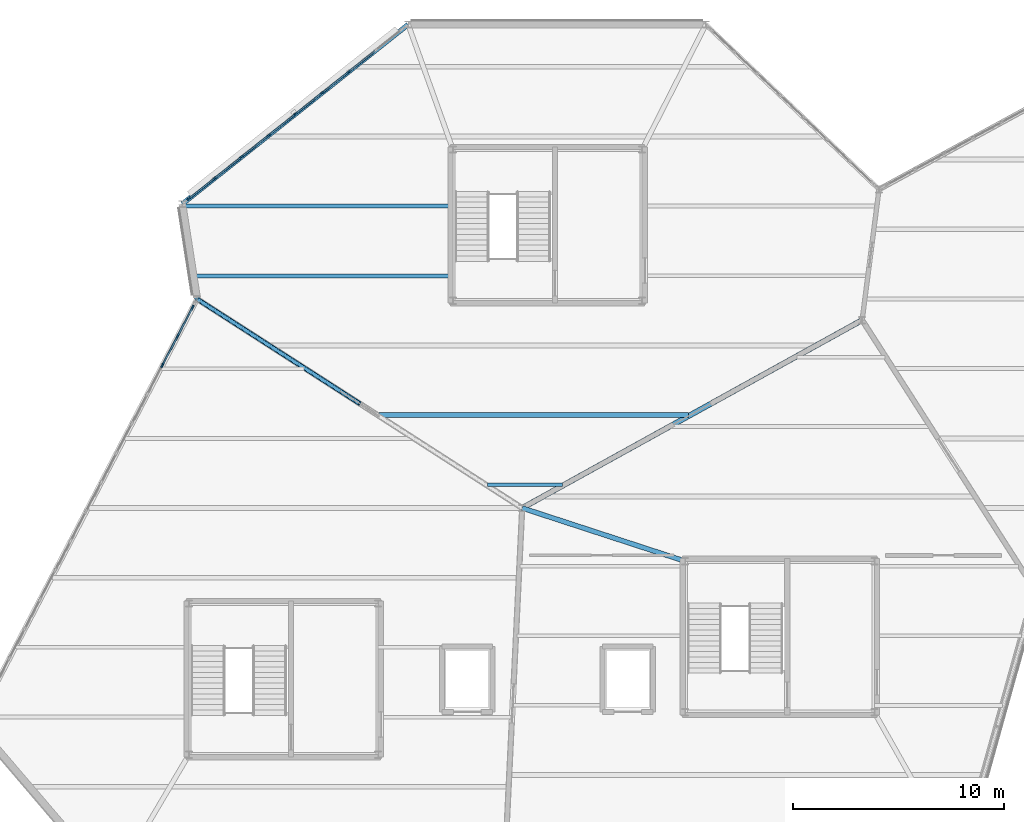
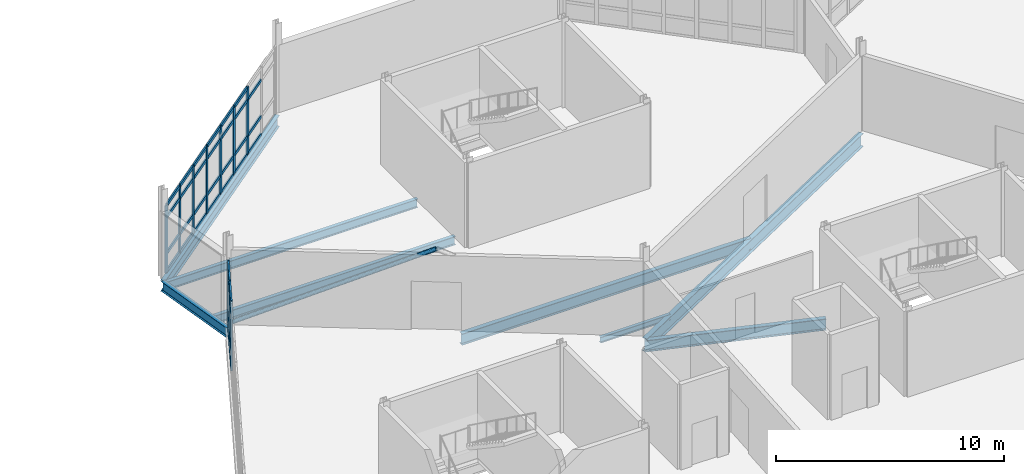
# One storey, part 53 of 114: 46 members, 8 beams, 2 elements without a shape of their own.
"""IFC4 building model written with IfcOpenShell, lengths in metres."""

import ifcopenshell
import ifcopenshell.guid

model = None  # the IFC model being written
_history = None  # IfcOwnerHistory: only IFC2X3 demands one
_inside = {}  # id of a spatial element -> (the spatial element, [elements in it])
_under = {}  # id of a project, library or spatial element -> (it, [spatial elements below it])
_declared = {}  # id of a project -> (the project, [libraries it declares])
_typed = {}  # id of a type object -> (the type object, [elements of that type])
_made_of = {}  # id of a material, layer set ... -> (it, [elements and type objects made of it])


def new_model(schema):
    """Start an empty IFC model of exactly this schema.

    Asked for "IFC4X3", IfcOpenShell would pick the latest addendum, in which some entities
    have other attributes; the version numbers below select the first issue.
    IFC2X3 requires an IfcOwnerHistory on every rooted entity: one is made here for all.
    """
    global model, _history
    if schema == "IFC4X3":
        model = ifcopenshell.file(schema_version=(4, 3, 0, 0))
    else:
        model = ifcopenshell.file(schema=schema)
    _inside.clear()
    _under.clear()
    _declared.clear()
    _typed.clear()
    _made_of.clear()
    _history = None
    if model.schema == "IFC2X3":
        org = make("IfcOrganization", Name="unknown")
        user = make(
            "IfcPersonAndOrganization",
            ThePerson=make("IfcPerson", FamilyName="unknown"),
            TheOrganization=org,
        )
        app = make(
            "IfcApplication",
            ApplicationDeveloper=org,
            Version="unknown",
            ApplicationFullName="unknown",
            ApplicationIdentifier="unknown",
        )
        _history = make(
            "IfcOwnerHistory",
            OwningUser=user,
            OwningApplication=app,
            ChangeAction="ADDED",
            CreationDate=0,
        )
    return model


def make(cls, **values):
    """One entity of the class cls with the attributes given. An attribute that is None is left unset."""
    return model.create_entity(
        cls, **{name: value for name, value in values.items() if value is not None}
    )


def rooted(cls, **values):
    """An entity with a GlobalId (a new one), such as an element, a storey or a relation."""
    return make(cls, GlobalId=ifcopenshell.guid.new(), OwnerHistory=_history, **values)


def si_unit(unit_type, name, prefix=None):
    """IfcSIUnit, for example si_unit("LENGTHUNIT", "METRE", prefix="MILLI")."""
    return make("IfcSIUnit", UnitType=unit_type, Prefix=prefix, Name=name)


def assignment(units):
    """IfcUnitAssignment: the units of a project."""
    return None if units is None else make("IfcUnitAssignment", Units=units)


def point(xyz):
    """IfcCartesianPoint."""
    return None if xyz is None else make("IfcCartesianPoint", Coordinates=xyz)


def direction(xyz):
    """IfcDirection."""
    return None if xyz is None else make("IfcDirection", DirectionRatios=xyz)


def frame(location, z_axis=None, x_axis=None):
    """IfcAxis2Placement3D, a coordinate frame: its origin and axes. An axis left out is left unset."""
    return make(
        "IfcAxis2Placement3D",
        Location=point(location),
        Axis=direction(z_axis),
        RefDirection=direction(x_axis),
    )


def frame_2d(location, x_axis=None):
    """IfcAxis2Placement2D, a coordinate frame in the plane: its origin and x axis."""
    return make(
        "IfcAxis2Placement2D", Location=point(location), RefDirection=direction(x_axis)
    )


def origin():
    """The frame at (0, 0, 0) with its axes left unset."""
    return frame((0.0, 0.0, 0.0))


def origin_2d():
    """The frame at (0, 0) in the plane with its x axis left unset."""
    return frame_2d((0.0, 0.0))


def place(relative_to, where):
    """IfcLocalPlacement: puts the frame where relative to a parent placement (None: the world)."""
    return make(
        "IfcLocalPlacement", PlacementRelTo=relative_to, RelativePlacement=where
    )


def context(
    kind, dimensions, precision=None, world=None, true_north=None, identifier=None
):
    """IfcGeometricRepresentationContext, for example the 3D "Model" context."""
    return make(
        "IfcGeometricRepresentationContext",
        ContextIdentifier=identifier,
        ContextType=kind,
        CoordinateSpaceDimension=dimensions,
        Precision=precision,
        WorldCoordinateSystem=world,
        TrueNorth=true_north,
    )


def subcontext(parent, identifier, kind, view, scale=None):
    """IfcGeometricRepresentationSubContext, for example "Body" below "Model"."""
    return make(
        "IfcGeometricRepresentationSubContext",
        ContextIdentifier=identifier,
        ContextType=kind,
        ParentContext=parent,
        TargetScale=scale,
        TargetView=view,
    )


def project(units=None, contexts=None):
    """IfcProject with its units and contexts."""
    return rooted(
        "IfcProject",
        Name="project",
        RepresentationContexts=contexts,
        UnitsInContext=assignment(units),
    )


def spatial(cls, under=None, at=None, **own):
    """A site, building, storey or space (cls), placed at a placement, below another one or the project."""
    s = rooted(cls, ObjectPlacement=at, **own)
    if under is not None:
        _under.setdefault(under.id(), (under, []))[1].append(s)
    return s


def profile(cls, at=None, kind="AREA", **sizes):
    """A parametric profile (cls). Its sizes go by their IFC names, for example OverallWidth=200.0."""
    return make(cls, ProfileType=kind, Position=at, **sizes)


def rectangle(**sizes):
    """IfcRectangleProfileDef."""
    return profile("IfcRectangleProfileDef", **sizes)


def hollow_circle(**sizes):
    """IfcCircleHollowProfileDef."""
    return profile("IfcCircleHollowProfileDef", **sizes)


def i_section(**sizes):
    """IfcIShapeProfileDef."""
    return profile("IfcIShapeProfileDef", **sizes)


def extrude(swept, where, along, depth):
    """IfcExtrudedAreaSolid: the profile swept, set in the frame where, extruded along a direction by depth."""
    return make(
        "IfcExtrudedAreaSolid",
        SweptArea=swept,
        Position=where,
        ExtrudedDirection=direction(along),
        Depth=depth,
    )


def shape(context_of_items, identifier, shape_type, items):
    """IfcShapeRepresentation: the items that make up one representation, for example the "Body"."""
    return make(
        "IfcShapeRepresentation",
        ContextOfItems=context_of_items,
        RepresentationIdentifier=identifier,
        RepresentationType=shape_type,
        Items=items,
    )


def material(Name=None, Category=None):
    """IfcMaterial."""
    return make("IfcMaterial", Name=Name, Category=Category)


def material_profile(
    of_material, cross_section, Name=None, Category=None, Priority=None
):
    """IfcMaterialProfile: a cross section and its material."""
    return make(
        "IfcMaterialProfile",
        Name=Name,
        Material=of_material,
        Profile=cross_section,
        Priority=Priority,
        Category=Category,
    )


def profile_set(profiles, Name=None, composite=None):
    """IfcMaterialProfileSet."""
    return make(
        "IfcMaterialProfileSet",
        Name=Name,
        MaterialProfiles=profiles,
        CompositeProfile=composite,
    )


def made_of(thing, what):
    """Note that an element or type object is made of a material, layer set ...; save() writes the relation."""
    if what is not None:
        _made_of.setdefault(what.id(), (what, []))[1].append(thing)
    return thing


def type_object(cls, material=None, **own):
    """A type object (cls), such as IfcWallType, which elements share."""
    return made_of(rooted(cls, **own), material)


def element(
    cls,
    number,
    at=None,
    inside=None,
    cuts=None,
    type_object=None,
    material=None,
    context=None,
    identifier="Body",
    shape_type=None,
    held_by="IfcProductDefinitionShape",
    body=None,
    shapes=None,
    **own,
):
    """One element of the class cls, such as IfcWall. Its Tag is "e" and its number.

    at: its placement. inside: the storey or other place that contains it. cuts: it is an
    opening in that element (IfcRelVoidsElement). A single representation is given by context,
    identifier, shape_type and body (its items); several are given by shapes. held_by: the class
    of the entity that holds the representations. save() writes the other relations.
    """
    e = rooted(cls, Tag="e%d" % number, ObjectPlacement=at, **own)
    if body is not None:
        shapes = [shape(context, identifier, shape_type, body)]
    if shapes is not None:
        e.Representation = make(held_by, Representations=shapes)
    if inside is not None:
        _inside.setdefault(inside.id(), (inside, []))[1].append(e)
    if cuts is not None:
        rooted(
            "IfcRelVoidsElement", RelatingBuildingElement=cuts, RelatedOpeningElement=e
        )
    if type_object is not None:
        _typed.setdefault(type_object.id(), (type_object, []))[1].append(e)
    return made_of(e, material)


def aggregate(whole, parts):
    """IfcRelAggregates: a whole, such as a stair, and the parts it consists of."""
    return rooted("IfcRelAggregates", RelatingObject=whole, RelatedObjects=parts)


def save(model, path):
    """Write the relations noted so far, then the file.

    IfcRelAggregates (storeys below a building ...), IfcRelContainedInSpatialStructure (elements
    in a storey), IfcRelDefinesByType, IfcRelAssociatesMaterial and IfcRelDeclares: one each for
    every whole, place, type object, material and project.
    """
    for whole, parts in _under.values():
        aggregate(whole, parts)
    for where, things in _inside.values():
        rooted(
            "IfcRelContainedInSpatialStructure",
            RelatedElements=things,
            RelatingStructure=where,
        )
    for kind, things in _typed.values():
        rooted("IfcRelDefinesByType", RelatedObjects=things, RelatingType=kind)
    for what, things in _made_of.values():
        rooted("IfcRelAssociatesMaterial", RelatedObjects=things, RelatingMaterial=what)
    for by, libraries in _declared.values():
        rooted("IfcRelDeclares", RelatingContext=by, RelatedDefinitions=libraries)
    model.write(path)


model = new_model("IFC4")

# Units and contexts
model_context = context("Model", 3, precision=1e-05, world=origin(), true_north=direction((0.0, 1.0)))
body_context = subcontext(model_context, "Body", "Model", "MODEL_VIEW")
ifc_project = project(units=[si_unit("LENGTHUNIT", "METRE"), si_unit("AREAUNIT", "SQUARE_METRE"), si_unit("VOLUMEUNIT", "CUBIC_METRE"), si_unit("PLANEANGLEUNIT", "RADIAN"), si_unit("MASSUNIT", "GRAM", prefix="KILO")], contexts=[model_context])

# Site, building, storey
site_placement = place(None, origin())
site = spatial("IfcSite", under=ifc_project, at=site_placement, CompositionType="ELEMENT")
building_placement = place(site_placement, origin())
building = spatial("IfcBuilding", under=site, at=building_placement, Name="Tameran Prism Museum", CompositionType="ELEMENT")
storey_placement = place(building_placement, frame((0.0, 0.0, 10.199951171875)))
storey = spatial("IfcBuildingStorey", under=building, at=storey_placement, Name="L02", CompositionType="ELEMENT", Elevation=10.199951171875)

# Beams
ifc_material_1 = material(Name="Steel Grade 300PLUS (300 MPa)", Category="steel")
ifc_material_profile_1 = material_profile(ifc_material_1, i_section(OverallWidth=0.1650390625, OverallDepth=0.303955078125, WebThickness=0.006103515625, FlangeThickness=0.01025390625, FilletRadius=0.011474609375, at=origin_2d()))
ifc_profile_set_1 = profile_set([ifc_material_profile_1])
beam_type_1 = type_object("IfcBeamType", Name="BM-J310B", PredefinedType="JOIST", material=ifc_profile_set_1)
beam_1_placement = place(storey_placement, frame((117.1630859375, 90.199951171875, -0.35205078125), z_axis=(1.0, 0.0, 0.0), x_axis=(0.0, 1.0, 0.0)))
element("IfcBeam", 1, at=beam_1_placement, inside=storey, type_object=beam_type_1, Name="Floor Beam BM-0832", PredefinedType="JOIST", context=body_context, shape_type="SweptSolid", body=[
    extrude(i_section(OverallWidth=0.1650390625, OverallDepth=0.303955078125, WebThickness=0.006103515625, FlangeThickness=0.01025390625, FilletRadius=0.011474609375, at=origin_2d()), origin(), (0.0, 0.0, 1.0), 3.5439453125),
])
ifc_material_2 = material(Name="Steel Grade 300PLUS (300 MPa)", Category="steel")
ifc_material_profile_2 = material_profile(ifc_material_2, i_section(OverallWidth=0.18994140625, OverallDepth=0.4541015625, WebThickness=0.008544921875, FlangeThickness=0.0126953125, FilletRadius=0.011474609375, at=origin_2d()))
ifc_profile_set_2 = profile_set([ifc_material_profile_2])
beam_type_2 = type_object("IfcBeamType", Name="BM-J460B", PredefinedType="JOIST", material=ifc_profile_set_2)
beam_2_placement = place(storey_placement, frame((103.26904296875, 100.10009765625, -0.427001953125), z_axis=(1.0, 0.0, 0.0), x_axis=(0.0, 1.0, 0.0)))
element("IfcBeam", 2, at=beam_2_placement, inside=storey, type_object=beam_type_2, Name="Floor Beam BM-0835", PredefinedType="JOIST", context=body_context, shape_type="SweptSolid", body=[
    extrude(i_section(OverallWidth=0.18994140625, OverallDepth=0.4541015625, WebThickness=0.008544921875, FlangeThickness=0.0126953125, FilletRadius=0.011474609375, at=origin_2d()), origin(), (0.0, 0.0, 1.0), 12.2509765625),
])
beam_3_placement = place(storey_placement, frame((102.756103515625, 103.39990234375, -0.427001953125), z_axis=(1.0, 0.0, 0.0), x_axis=(0.0, 1.0, 0.0)))
element("IfcBeam", 3, at=beam_3_placement, inside=storey, type_object=beam_type_2, Name="Floor Beam BM-0837", PredefinedType="JOIST", context=body_context, shape_type="SweptSolid", body=[
    extrude(i_section(OverallWidth=0.18994140625, OverallDepth=0.4541015625, WebThickness=0.008544921875, FlangeThickness=0.0126953125, FilletRadius=0.011474609375, at=origin_2d()), origin(), (0.0, 0.0, 1.0), 12.763916015625),
])
ifc_material_3 = material(Name="Steel Grade 300PLUS (300 MPa)", Category="steel")
ifc_material_profile_3 = material_profile(ifc_material_3, i_section(OverallWidth=0.208984375, OverallDepth=0.528076171875, WebThickness=0.009521484375, FlangeThickness=0.01318359375, FilletRadius=0.013916015625, at=origin_2d()))
ifc_profile_set_3 = profile_set([ifc_material_profile_3])
beam_type_3 = type_object("IfcBeamType", Name="BM-SP530B", PredefinedType="SPANDREL", material=ifc_profile_set_3)
beam_4_placement = place(storey_placement, frame((102.699951171875, 103.5, -0.4638671875), z_axis=(0.153696537817, -0.988118097326, 0.0), x_axis=(0.988118097326, 0.153696537817, 0.0)))
element("IfcBeam", 4, at=beam_4_placement, inside=storey, type_object=beam_type_3, Name="Perimeter Spandrel SP-0668", PredefinedType="SPANDREL", context=body_context, shape_type="SweptSolid", body=[
    extrude(i_section(OverallWidth=0.208984375, OverallDepth=0.528076171875, WebThickness=0.009521484375, FlangeThickness=0.01318359375, FilletRadius=0.013916015625, at=origin_2d()), origin(), (0.0, 0.0, 1.0), 4.55419921875),
])
ifc_material_4 = material(Name="Steel Grade 300PLUS (300 MPa)", Category="steel")
ifc_material_profile_4 = material_profile(ifc_material_4, i_section(OverallWidth=0.22802734375, OverallDepth=0.60205078125, WebThickness=0.010498046875, FlangeThickness=0.014892578125, FilletRadius=0.013916015625, at=origin_2d()))
ifc_profile_set_4 = profile_set([ifc_material_profile_4])
beam_type_4 = type_object("IfcBeamType", Name="BM-SP610", PredefinedType="SPANDREL", material=ifc_profile_set_4)
beam_5_placement = place(storey_placement, frame((113.39990234375, 112.0, -0.5009765625), z_axis=(-0.783004636427, -0.62201586743, 0.0), x_axis=(0.62201586743, -0.783004636427, 0.0)))
element("IfcBeam", 5, at=beam_5_placement, inside=storey, type_object=beam_type_4, Name="Perimeter Spandrel SP-0667", PredefinedType="SPANDREL", context=body_context, shape_type="SweptSolid", body=[
    extrude(i_section(OverallWidth=0.22802734375, OverallDepth=0.60205078125, WebThickness=0.010498046875, FlangeThickness=0.014892578125, FilletRadius=0.013916015625, at=origin_2d()), origin(), (0.0, 0.0, 1.0), 13.665283203125),
])
ifc_material_5 = material(Name="Steel Grade 350 (350 MPa)", Category="steel")
ifc_material_profile_5 = material_profile(ifc_material_5, i_section(OverallWidth=0.25, OverallDepth=0.699951171875, WebThickness=0.010009765625, FlangeThickness=0.02001953125, at=origin_2d()))
ifc_profile_set_5 = profile_set([ifc_material_profile_5])
beam_type_5 = type_object("IfcBeamType", Name="BM-SP700", PredefinedType="SPANDREL", material=ifc_profile_set_5)
beam_6_placement = place(storey_placement, frame((134.89990234375, 98.0, -0.550048828125), z_axis=(-0.875181353329, -0.483794996652, 0.0), x_axis=(0.483794996652, -0.875181353329, 0.0)))
element("IfcBeam", 6, at=beam_6_placement, inside=storey, type_object=beam_type_5, Name="Perimeter Spandrel SP-0663", PredefinedType="SPANDREL", context=body_context, shape_type="SweptSolid", body=[
    extrude(i_section(OverallWidth=0.25, OverallDepth=0.699951171875, WebThickness=0.010009765625, FlangeThickness=0.02001953125, at=origin_2d()), origin(), (0.0, 0.0, 1.0), 18.39599609375),
])
ifc_material_6 = material(Name="Steel Grade 300PLUS (300 MPa)", Category="steel")
ifc_material_profile_6 = material_profile(ifc_material_6, i_section(OverallWidth=0.22900390625, OverallDepth=0.612060546875, WebThickness=0.011962890625, FlangeThickness=0.01953125, FilletRadius=0.013916015625, at=origin_2d()))
ifc_profile_set_6 = profile_set([ifc_material_profile_6])
beam_type_6 = type_object("IfcBeamType", Name="BM-UB610A", PredefinedType="BEAM", material=ifc_profile_set_6)
beam_7_placement = place(storey_placement, frame((126.52001953125, 86.580078125, -0.56005859375), z_axis=(-0.950634056225, 0.310314181346, 0.0), x_axis=(-0.310314181346, -0.950634056225, 0.0)))
element("IfcBeam", 7, at=beam_7_placement, inside=storey, type_object=beam_type_6, Name="Frame Tie Girder FG-1395", PredefinedType="BEAM", context=body_context, shape_type="SweptSolid", body=[
    extrude(i_section(OverallWidth=0.22900390625, OverallDepth=0.612060546875, WebThickness=0.011962890625, FlangeThickness=0.01953125, FilletRadius=0.013916015625, at=origin_2d()), origin(), (0.0, 0.0, 1.0), 8.120849609375),
])
ifc_material_7 = material(Name="Steel Grade 300PLUS (300 MPa)", Category="steel")
ifc_material_profile_7 = material_profile(ifc_material_7, i_section(OverallWidth=0.22802734375, OverallDepth=0.60693359375, WebThickness=0.01123046875, FlangeThickness=0.017333984375, FilletRadius=0.013916015625, at=origin_2d()))
ifc_profile_set_7 = profile_set([ifc_material_profile_7])
beam_type_7 = type_object("IfcBeamType", Name="BM-UB610B", PredefinedType="BEAM", material=ifc_profile_set_7)
beam_8_placement = place(storey_placement, frame((112.030029296875, 93.5, -0.50341796875), z_axis=(1.0, 0.0, 0.0), x_axis=(0.0, 1.0, 0.0)))
element("IfcBeam", 8, at=beam_8_placement, inside=storey, type_object=beam_type_7, Name="Floor Beam BM-0833", PredefinedType="BEAM", context=body_context, shape_type="SweptSolid", body=[
    extrude(i_section(OverallWidth=0.22802734375, OverallDepth=0.60693359375, WebThickness=0.01123046875, FlangeThickness=0.017333984375, FilletRadius=0.013916015625, at=origin_2d()), origin(), (0.0, 0.0, 1.0), 14.64697265625),
])

# Curtain wall, members
ifc_material_8 = material(Name="Anodised Aluminium 6063-T6 and Cyclone Solar Glass", Category="aluminium")
curtain_wall_type_1 = type_object("IfcCurtainWallType", Name="CW-FAC-1296x362", PredefinedType="USERDEFINED", material=ifc_material_8)
curtain_wall_1_placement = place(storey_placement, origin())
curtain_wall_1 = element("IfcCurtainWall", 9, at=curtain_wall_1_placement, inside=storey, type_object=curtain_wall_type_1, Name="Unitised Curtain Wall CW-101", ObjectType="UNITISED CURTAIN WALL", PredefinedType="USERDEFINED")
ifc_material_9 = material(Name="Anodised Aluminium Alloy 6063-T6", Category="aluminium")
ifc_material_profile_8 = material_profile(ifc_material_9, rectangle(XDim=0.074951171875, YDim=0.199951171875, at=origin_2d()))
ifc_profile_set_8 = profile_set([ifc_material_profile_8])
member_type_1 = type_object("IfcMemberType", Name="CW-MUL-C", PredefinedType="MULLION", material=ifc_profile_set_8)
member_1_placement = place(storey_placement, frame((103.00341796875, 103.7412109375, 0.0), z_axis=(0.0, 0.0, 1.0), x_axis=(-0.621982306183, 0.783031296178, 0.0)))
member_1 = element("IfcMember", 10, at=member_1_placement, type_object=member_type_1, Name="CW-101 mullion 1", PredefinedType="MULLION", context=body_context, shape_type="SweptSolid", body=[
    extrude(rectangle(XDim=0.074951171875, YDim=0.199951171875, at=origin_2d()), origin(), (0.0, 0.0, 1.0), 3.6201171875),
])
member_2_placement = place(storey_placement, frame((104.242919921875, 104.72607421875, 0.0), z_axis=(0.0, 0.0, 1.0), x_axis=(-0.621982306183, 0.783031296178, 0.0)))
member_2 = element("IfcMember", 11, at=member_2_placement, type_object=member_type_1, Name="CW-101 mullion 2", PredefinedType="MULLION", context=body_context, shape_type="SweptSolid", body=[
    extrude(rectangle(XDim=0.074951171875, YDim=0.199951171875, at=origin_2d()), origin(), (0.0, 0.0, 1.0), 3.6201171875),
])
member_3_placement = place(storey_placement, frame((105.511962890625, 105.73388671875, 0.0), z_axis=(0.0, 0.0, 1.0), x_axis=(-0.621982306183, 0.783031296178, 0.0)))
member_3 = element("IfcMember", 12, at=member_3_placement, type_object=member_type_1, Name="CW-101 mullion 3", PredefinedType="MULLION", context=body_context, shape_type="SweptSolid", body=[
    extrude(rectangle(XDim=0.074951171875, YDim=0.199951171875, at=origin_2d()), origin(), (0.0, 0.0, 1.0), 3.6201171875),
])
member_4_placement = place(storey_placement, frame((106.781005859375, 106.741943359375, 0.0), z_axis=(0.0, 0.0, 1.0), x_axis=(-0.621982306183, 0.783031296178, 0.0)))
member_4 = element("IfcMember", 13, at=member_4_placement, type_object=member_type_1, Name="CW-101 mullion 4", PredefinedType="MULLION", context=body_context, shape_type="SweptSolid", body=[
    extrude(rectangle(XDim=0.074951171875, YDim=0.199951171875, at=origin_2d()), origin(), (0.0, 0.0, 1.0), 3.6201171875),
])
member_5_placement = place(storey_placement, frame((108.050048828125, 107.75, 0.0), z_axis=(0.0, 0.0, 1.0), x_axis=(-0.621982306183, 0.783031296178, 0.0)))
member_5 = element("IfcMember", 14, at=member_5_placement, type_object=member_type_1, Name="CW-101 mullion 5", PredefinedType="MULLION", context=body_context, shape_type="SweptSolid", body=[
    extrude(rectangle(XDim=0.074951171875, YDim=0.199951171875, at=origin_2d()), origin(), (0.0, 0.0, 1.0), 3.6201171875),
])
member_6_placement = place(storey_placement, frame((109.319091796875, 108.758056640625, 0.0), z_axis=(0.0, 0.0, 1.0), x_axis=(-0.621982306183, 0.783031296178, 0.0)))
member_6 = element("IfcMember", 15, at=member_6_placement, type_object=member_type_1, Name="CW-101 mullion 6", PredefinedType="MULLION", context=body_context, shape_type="SweptSolid", body=[
    extrude(rectangle(XDim=0.074951171875, YDim=0.199951171875, at=origin_2d()), origin(), (0.0, 0.0, 1.0), 3.6201171875),
])
member_7_placement = place(storey_placement, frame((110.587890625, 109.76611328125, 0.0), z_axis=(0.0, 0.0, 1.0), x_axis=(-0.621982306183, 0.783031296178, 0.0)))
member_7 = element("IfcMember", 16, at=member_7_placement, type_object=member_type_1, Name="CW-101 mullion 7", PredefinedType="MULLION", context=body_context, shape_type="SweptSolid", body=[
    extrude(rectangle(XDim=0.074951171875, YDim=0.199951171875, at=origin_2d()), origin(), (0.0, 0.0, 1.0), 3.6201171875),
])

ifc_material_10 = material(Name="Anodised Aluminium 6063-T6 and Cyclone Solar Glass", Category="aluminium")
curtain_wall_type_2 = type_object("IfcCurtainWallType", Name="CW-FAC-2192x362", PredefinedType="USERDEFINED", material=ifc_material_10)
curtain_wall_2_placement = place(storey_placement, origin())
curtain_wall_2 = element("IfcCurtainWall", 17, at=curtain_wall_2_placement, inside=storey, type_object=curtain_wall_type_2, Name="Unitised Curtain Wall CW-098", ObjectType="UNITISED CURTAIN WALL", PredefinedType="USERDEFINED")
ifc_material_11 = material(Name="Anodised Aluminium Alloy 6063-T6", Category="aluminium")
ifc_material_profile_9 = material_profile(ifc_material_11, rectangle(XDim=0.080078125, YDim=0.219970703125, at=origin_2d()))
ifc_profile_set_9 = profile_set([ifc_material_profile_9])
member_type_2 = type_object("IfcMemberType", Name="CW-MUL-D", PredefinedType="MULLION", material=ifc_profile_set_9)
member_8_placement = place(storey_placement, frame((101.76025390625, 95.86181640625, 0.0), z_axis=(0.0, 0.0, 1.0), x_axis=(-0.886356952612, 0.463002540551, 0.0)))
member_8 = element("IfcMember", 18, at=member_8_placement, type_object=member_type_2, Name="CW-098 mullion 13", PredefinedType="MULLION", context=body_context, shape_type="SweptSolid", body=[
    extrude(rectangle(XDim=0.080078125, YDim=0.219970703125, at=origin_2d()), origin(), (0.0, 0.0, 1.0), 3.6201171875),
])
member_9_placement = place(storey_placement, frame((102.485107421875, 97.249267578125, 0.0), z_axis=(0.0, 0.0, 1.0), x_axis=(-0.886356952612, 0.463002540551, 0.0)))
member_9 = element("IfcMember", 19, at=member_9_placement, type_object=member_type_2, Name="CW-098 mullion 14", PredefinedType="MULLION", context=body_context, shape_type="SweptSolid", body=[
    extrude(rectangle(XDim=0.080078125, YDim=0.219970703125, at=origin_2d()), origin(), (0.0, 0.0, 1.0), 3.6201171875),
])
member_10_placement = place(storey_placement, frame((103.19140625, 98.6015625, 0.0), z_axis=(0.0, 0.0, 1.0), x_axis=(-0.886356952612, 0.463002540551, 0.0)))
member_10 = element("IfcMember", 20, at=member_10_placement, type_object=member_type_2, Name="CW-098 mullion 15", PredefinedType="MULLION", context=body_context, shape_type="SweptSolid", body=[
    extrude(rectangle(XDim=0.080078125, YDim=0.219970703125, at=origin_2d()), origin(), (0.0, 0.0, 1.0), 3.6201171875),
])

# Member
ifc_material_12 = material(Name="Anodised Aluminium Alloy 6063-T6", Category="aluminium")
ifc_material_profile_10 = material_profile(ifc_material_12, rectangle(XDim=0.074951171875, YDim=0.175048828125, at=origin_2d()))
ifc_profile_set_10 = profile_set([ifc_material_profile_10])
member_type_3 = type_object("IfcMemberType", Name="CW-TRN-C", PredefinedType="USERDEFINED", material=ifc_profile_set_10)
member_11_placement = place(storey_placement, frame((103.03271484375, 103.7646484375, 0.03759765625), z_axis=(0.783043597879, 0.621966818907, 0.0), x_axis=(-0.621966818907, 0.783043597879, 0.0)))
member_11 = element("IfcMember", 21, at=member_11_placement, type_object=member_type_3, Name="CW-101 transom 1.1", ObjectType="TRANSOM", PredefinedType="USERDEFINED", context=body_context, shape_type="SweptSolid", body=[
    extrude(rectangle(XDim=0.074951171875, YDim=0.175048828125, at=origin_2d()), origin(), (0.0, 0.0, 1.0), 1.508056640625),
])

member_12_placement = place(storey_placement, frame((103.03271484375, 103.7646484375, 1.0), z_axis=(0.783043597879, 0.621966818907, 0.0), x_axis=(-0.621966818907, 0.783043597879, 0.0)))
member_12 = element("IfcMember", 22, at=member_12_placement, type_object=member_type_3, Name="CW-101 transom 1.2", ObjectType="TRANSOM", PredefinedType="USERDEFINED", context=body_context, shape_type="SweptSolid", body=[
    extrude(rectangle(XDim=0.074951171875, YDim=0.175048828125, at=origin_2d()), origin(), (0.0, 0.0, 1.0), 1.508056640625),
])

member_13_placement = place(storey_placement, frame((103.03271484375, 103.7646484375, 2.93994140625), z_axis=(0.783043597879, 0.621966818907, 0.0), x_axis=(-0.621966818907, 0.783043597879, 0.0)))
member_13 = element("IfcMember", 23, at=member_13_placement, type_object=member_type_3, Name="CW-101 transom 1.3", ObjectType="TRANSOM", PredefinedType="USERDEFINED", context=body_context, shape_type="SweptSolid", body=[
    extrude(rectangle(XDim=0.074951171875, YDim=0.175048828125, at=origin_2d()), origin(), (0.0, 0.0, 1.0), 1.508056640625),
])

member_14_placement = place(storey_placement, frame((103.03271484375, 103.7646484375, 3.58251953125), z_axis=(0.783043597879, 0.621966818907, 0.0), x_axis=(-0.621966818907, 0.783043597879, 0.0)))
member_14 = element("IfcMember", 24, at=member_14_placement, type_object=member_type_3, Name="CW-101 transom 1.4", ObjectType="TRANSOM", PredefinedType="USERDEFINED", context=body_context, shape_type="SweptSolid", body=[
    extrude(rectangle(XDim=0.074951171875, YDim=0.175048828125, at=origin_2d()), origin(), (0.0, 0.0, 1.0), 1.508056640625),
])

member_15_placement = place(storey_placement, frame((104.2724609375, 104.749267578125, 0.03759765625), z_axis=(0.78299091999, 0.622033133533, 0.0), x_axis=(-0.622033133533, 0.78299091999, 0.0)))
member_15 = element("IfcMember", 25, at=member_15_placement, type_object=member_type_3, Name="CW-101 transom 2.1", ObjectType="TRANSOM", PredefinedType="USERDEFINED", context=body_context, shape_type="SweptSolid", body=[
    extrude(rectangle(XDim=0.074951171875, YDim=0.175048828125, at=origin_2d()), origin(), (0.0, 0.0, 1.0), 1.545654296875),
])

member_16_placement = place(storey_placement, frame((104.2724609375, 104.749267578125, 1.0), z_axis=(0.78299091999, 0.622033133533, 0.0), x_axis=(-0.622033133533, 0.78299091999, 0.0)))
member_16 = element("IfcMember", 26, at=member_16_placement, type_object=member_type_3, Name="CW-101 transom 2.2", ObjectType="TRANSOM", PredefinedType="USERDEFINED", context=body_context, shape_type="SweptSolid", body=[
    extrude(rectangle(XDim=0.074951171875, YDim=0.175048828125, at=origin_2d()), origin(), (0.0, 0.0, 1.0), 1.545654296875),
])

member_17_placement = place(storey_placement, frame((104.2724609375, 104.749267578125, 2.93994140625), z_axis=(0.78299091999, 0.622033133533, 0.0), x_axis=(-0.622033133533, 0.78299091999, 0.0)))
member_17 = element("IfcMember", 27, at=member_17_placement, type_object=member_type_3, Name="CW-101 transom 2.3", ObjectType="TRANSOM", PredefinedType="USERDEFINED", context=body_context, shape_type="SweptSolid", body=[
    extrude(rectangle(XDim=0.074951171875, YDim=0.175048828125, at=origin_2d()), origin(), (0.0, 0.0, 1.0), 1.545654296875),
])

member_18_placement = place(storey_placement, frame((104.2724609375, 104.749267578125, 3.58251953125), z_axis=(0.78299091999, 0.622033133533, 0.0), x_axis=(-0.622033133533, 0.78299091999, 0.0)))
member_18 = element("IfcMember", 28, at=member_18_placement, type_object=member_type_3, Name="CW-101 transom 2.4", ObjectType="TRANSOM", PredefinedType="USERDEFINED", context=body_context, shape_type="SweptSolid", body=[
    extrude(rectangle(XDim=0.074951171875, YDim=0.175048828125, at=origin_2d()), origin(), (0.0, 0.0, 1.0), 1.545654296875),
])

member_19_placement = place(storey_placement, frame((105.541259765625, 105.75732421875, 0.03759765625), z_axis=(0.78305202605, 0.621956207863, 0.0), x_axis=(-0.621956207863, 0.78305202605, 0.0)))
member_19 = element("IfcMember", 29, at=member_19_placement, type_object=member_type_3, Name="CW-101 transom 3.1", ObjectType="TRANSOM", PredefinedType="USERDEFINED", context=body_context, shape_type="SweptSolid", body=[
    extrude(rectangle(XDim=0.074951171875, YDim=0.175048828125, at=origin_2d()), origin(), (0.0, 0.0, 1.0), 1.5458984375),
])

member_20_placement = place(storey_placement, frame((105.541259765625, 105.75732421875, 1.0), z_axis=(0.78305202605, 0.621956207863, 0.0), x_axis=(-0.621956207863, 0.78305202605, 0.0)))
member_20 = element("IfcMember", 30, at=member_20_placement, type_object=member_type_3, Name="CW-101 transom 3.2", ObjectType="TRANSOM", PredefinedType="USERDEFINED", context=body_context, shape_type="SweptSolid", body=[
    extrude(rectangle(XDim=0.074951171875, YDim=0.175048828125, at=origin_2d()), origin(), (0.0, 0.0, 1.0), 1.5458984375),
])

member_21_placement = place(storey_placement, frame((105.541259765625, 105.75732421875, 2.93994140625), z_axis=(0.78305202605, 0.621956207863, 0.0), x_axis=(-0.621956207863, 0.78305202605, 0.0)))
member_21 = element("IfcMember", 31, at=member_21_placement, type_object=member_type_3, Name="CW-101 transom 3.3", ObjectType="TRANSOM", PredefinedType="USERDEFINED", context=body_context, shape_type="SweptSolid", body=[
    extrude(rectangle(XDim=0.074951171875, YDim=0.175048828125, at=origin_2d()), origin(), (0.0, 0.0, 1.0), 1.5458984375),
])

member_22_placement = place(storey_placement, frame((105.541259765625, 105.75732421875, 3.58251953125), z_axis=(0.78305202605, 0.621956207863, 0.0), x_axis=(-0.621956207863, 0.78305202605, 0.0)))
member_22 = element("IfcMember", 32, at=member_22_placement, type_object=member_type_3, Name="CW-101 transom 3.4", ObjectType="TRANSOM", PredefinedType="USERDEFINED", context=body_context, shape_type="SweptSolid", body=[
    extrude(rectangle(XDim=0.074951171875, YDim=0.175048828125, at=origin_2d()), origin(), (0.0, 0.0, 1.0), 1.5458984375),
])

member_23_placement = place(storey_placement, frame((106.810302734375, 106.765380859375, 0.03759765625), z_axis=(0.783128946774, 0.62185935124, 0.0), x_axis=(-0.62185935124, 0.783128946774, 0.0)))
member_23 = element("IfcMember", 33, at=member_23_placement, type_object=member_type_3, Name="CW-101 transom 4.1", ObjectType="TRANSOM", PredefinedType="USERDEFINED", context=body_context, shape_type="SweptSolid", body=[
    extrude(rectangle(XDim=0.074951171875, YDim=0.175048828125, at=origin_2d()), origin(), (0.0, 0.0, 1.0), 1.545654296875),
])

member_24_placement = place(storey_placement, frame((106.810302734375, 106.765380859375, 1.0), z_axis=(0.783128946774, 0.62185935124, 0.0), x_axis=(-0.62185935124, 0.783128946774, 0.0)))
member_24 = element("IfcMember", 34, at=member_24_placement, type_object=member_type_3, Name="CW-101 transom 4.2", ObjectType="TRANSOM", PredefinedType="USERDEFINED", context=body_context, shape_type="SweptSolid", body=[
    extrude(rectangle(XDim=0.074951171875, YDim=0.175048828125, at=origin_2d()), origin(), (0.0, 0.0, 1.0), 1.545654296875),
])

member_25_placement = place(storey_placement, frame((106.810302734375, 106.765380859375, 2.93994140625), z_axis=(0.783128946774, 0.62185935124, 0.0), x_axis=(-0.62185935124, 0.783128946774, 0.0)))
member_25 = element("IfcMember", 35, at=member_25_placement, type_object=member_type_3, Name="CW-101 transom 4.3", ObjectType="TRANSOM", PredefinedType="USERDEFINED", context=body_context, shape_type="SweptSolid", body=[
    extrude(rectangle(XDim=0.074951171875, YDim=0.175048828125, at=origin_2d()), origin(), (0.0, 0.0, 1.0), 1.545654296875),
])

member_26_placement = place(storey_placement, frame((106.810302734375, 106.765380859375, 3.58251953125), z_axis=(0.783128946774, 0.62185935124, 0.0), x_axis=(-0.62185935124, 0.783128946774, 0.0)))
member_26 = element("IfcMember", 36, at=member_26_placement, type_object=member_type_3, Name="CW-101 transom 4.4", ObjectType="TRANSOM", PredefinedType="USERDEFINED", context=body_context, shape_type="SweptSolid", body=[
    extrude(rectangle(XDim=0.074951171875, YDim=0.175048828125, at=origin_2d()), origin(), (0.0, 0.0, 1.0), 1.545654296875),
])

member_27_placement = place(storey_placement, frame((108.079345703125, 107.7734375, 0.03759765625), z_axis=(0.783067853742, 0.621936280045, 0.0), x_axis=(-0.621936280045, 0.783067853742, 0.0)))
member_27 = element("IfcMember", 37, at=member_27_placement, type_object=member_type_3, Name="CW-101 transom 5.1", ObjectType="TRANSOM", PredefinedType="USERDEFINED", context=body_context, shape_type="SweptSolid", body=[
    extrude(rectangle(XDim=0.074951171875, YDim=0.175048828125, at=origin_2d()), origin(), (0.0, 0.0, 1.0), 1.54541015625),
])

member_28_placement = place(storey_placement, frame((108.079345703125, 107.7734375, 1.0), z_axis=(0.783067853742, 0.621936280045, 0.0), x_axis=(-0.621936280045, 0.783067853742, 0.0)))
member_28 = element("IfcMember", 38, at=member_28_placement, type_object=member_type_3, Name="CW-101 transom 5.2", ObjectType="TRANSOM", PredefinedType="USERDEFINED", context=body_context, shape_type="SweptSolid", body=[
    extrude(rectangle(XDim=0.074951171875, YDim=0.175048828125, at=origin_2d()), origin(), (0.0, 0.0, 1.0), 1.54541015625),
])

member_29_placement = place(storey_placement, frame((108.079345703125, 107.7734375, 2.93994140625), z_axis=(0.783067853742, 0.621936280045, 0.0), x_axis=(-0.621936280045, 0.783067853742, 0.0)))
member_29 = element("IfcMember", 39, at=member_29_placement, type_object=member_type_3, Name="CW-101 transom 5.3", ObjectType="TRANSOM", PredefinedType="USERDEFINED", context=body_context, shape_type="SweptSolid", body=[
    extrude(rectangle(XDim=0.074951171875, YDim=0.175048828125, at=origin_2d()), origin(), (0.0, 0.0, 1.0), 1.54541015625),
])

member_30_placement = place(storey_placement, frame((108.079345703125, 107.7734375, 3.58251953125), z_axis=(0.783067853742, 0.621936280045, 0.0), x_axis=(-0.621936280045, 0.783067853742, 0.0)))
member_30 = element("IfcMember", 40, at=member_30_placement, type_object=member_type_3, Name="CW-101 transom 5.4", ObjectType="TRANSOM", PredefinedType="USERDEFINED", context=body_context, shape_type="SweptSolid", body=[
    extrude(rectangle(XDim=0.074951171875, YDim=0.175048828125, at=origin_2d()), origin(), (0.0, 0.0, 1.0), 1.54541015625),
])

member_31_placement = place(storey_placement, frame((109.348388671875, 108.78125, 0.03759765625), z_axis=(0.78299091999, 0.622033133533, 0.0), x_axis=(-0.622033133533, 0.78299091999, 0.0)))
member_31 = element("IfcMember", 41, at=member_31_placement, type_object=member_type_3, Name="CW-101 transom 6.1", ObjectType="TRANSOM", PredefinedType="USERDEFINED", context=body_context, shape_type="SweptSolid", body=[
    extrude(rectangle(XDim=0.074951171875, YDim=0.175048828125, at=origin_2d()), origin(), (0.0, 0.0, 1.0), 1.545654296875),
])

member_32_placement = place(storey_placement, frame((109.348388671875, 108.78125, 1.0), z_axis=(0.78299091999, 0.622033133533, 0.0), x_axis=(-0.622033133533, 0.78299091999, 0.0)))
member_32 = element("IfcMember", 42, at=member_32_placement, type_object=member_type_3, Name="CW-101 transom 6.2", ObjectType="TRANSOM", PredefinedType="USERDEFINED", context=body_context, shape_type="SweptSolid", body=[
    extrude(rectangle(XDim=0.074951171875, YDim=0.175048828125, at=origin_2d()), origin(), (0.0, 0.0, 1.0), 1.545654296875),
])

member_33_placement = place(storey_placement, frame((109.348388671875, 108.78125, 2.93994140625), z_axis=(0.78299091999, 0.622033133533, 0.0), x_axis=(-0.622033133533, 0.78299091999, 0.0)))
member_33 = element("IfcMember", 43, at=member_33_placement, type_object=member_type_3, Name="CW-101 transom 6.3", ObjectType="TRANSOM", PredefinedType="USERDEFINED", context=body_context, shape_type="SweptSolid", body=[
    extrude(rectangle(XDim=0.074951171875, YDim=0.175048828125, at=origin_2d()), origin(), (0.0, 0.0, 1.0), 1.545654296875),
])

member_34_placement = place(storey_placement, frame((109.348388671875, 108.78125, 3.58251953125), z_axis=(0.78299091999, 0.622033133533, 0.0), x_axis=(-0.622033133533, 0.78299091999, 0.0)))
member_34 = element("IfcMember", 44, at=member_34_placement, type_object=member_type_3, Name="CW-101 transom 6.4", ObjectType="TRANSOM", PredefinedType="USERDEFINED", context=body_context, shape_type="SweptSolid", body=[
    extrude(rectangle(XDim=0.074951171875, YDim=0.175048828125, at=origin_2d()), origin(), (0.0, 0.0, 1.0), 1.545654296875),
])

member_35_placement = place(storey_placement, frame((110.617431640625, 109.789306640625, 0.03759765625), z_axis=(0.78299091999, 0.622033133533, 0.0), x_axis=(-0.622033133533, 0.78299091999, 0.0)))
member_35 = element("IfcMember", 45, at=member_35_placement, type_object=member_type_3, Name="CW-101 transom 7.1", ObjectType="TRANSOM", PredefinedType="USERDEFINED", context=body_context, shape_type="SweptSolid", body=[
    extrude(rectangle(XDim=0.074951171875, YDim=0.175048828125, at=origin_2d()), origin(), (0.0, 0.0, 1.0), 1.545654296875),
])

member_36_placement = place(storey_placement, frame((110.617431640625, 109.789306640625, 1.0), z_axis=(0.78299091999, 0.622033133533, 0.0), x_axis=(-0.622033133533, 0.78299091999, 0.0)))
member_36 = element("IfcMember", 46, at=member_36_placement, type_object=member_type_3, Name="CW-101 transom 7.2", ObjectType="TRANSOM", PredefinedType="USERDEFINED", context=body_context, shape_type="SweptSolid", body=[
    extrude(rectangle(XDim=0.074951171875, YDim=0.175048828125, at=origin_2d()), origin(), (0.0, 0.0, 1.0), 1.545654296875),
])

member_37_placement = place(storey_placement, frame((110.617431640625, 109.789306640625, 2.93994140625), z_axis=(0.78299091999, 0.622033133533, 0.0), x_axis=(-0.622033133533, 0.78299091999, 0.0)))
member_37 = element("IfcMember", 47, at=member_37_placement, type_object=member_type_3, Name="CW-101 transom 7.3", ObjectType="TRANSOM", PredefinedType="USERDEFINED", context=body_context, shape_type="SweptSolid", body=[
    extrude(rectangle(XDim=0.074951171875, YDim=0.175048828125, at=origin_2d()), origin(), (0.0, 0.0, 1.0), 1.545654296875),
])

aggregate(curtain_wall_1, [member_1, member_2, member_3, member_4, member_5, member_6, member_7, member_11, member_12, member_13, member_14, member_15, member_16, member_17, member_18, member_19, member_20, member_21, member_22, member_23, member_24, member_25, member_26, member_27, member_28, member_29, member_30, member_31, member_32, member_33, member_34, member_35, member_36, member_37])

ifc_material_13 = material(Name="Anodised Aluminium Alloy 6063-T6", Category="aluminium")
ifc_material_profile_11 = material_profile(ifc_material_13, rectangle(XDim=0.080078125, YDim=0.195068359375, at=origin_2d()))
ifc_profile_set_11 = profile_set([ifc_material_profile_11])
member_type_4 = type_object("IfcMemberType", Name="CW-TRN-D", PredefinedType="USERDEFINED", material=ifc_profile_set_11)
member_38_placement = place(storey_placement, frame((101.77880859375, 95.897216796875, 0.0400390625), z_axis=(0.462987220267, 0.886364955236, 0.0), x_axis=(-0.886364955236, 0.462987220267, 0.0)))
member_38 = element("IfcMember", 48, at=member_38_placement, type_object=member_type_4, Name="CW-098 transom 13.1", ObjectType="TRANSOM", PredefinedType="USERDEFINED", context=body_context, shape_type="SweptSolid", body=[
    extrude(rectangle(XDim=0.080078125, YDim=0.195068359375, at=origin_2d()), origin(), (0.0, 0.0, 1.0), 1.4853515625),
])

member_39_placement = place(storey_placement, frame((101.77880859375, 95.897216796875, 1.0), z_axis=(0.462987220267, 0.886364955236, 0.0), x_axis=(-0.886364955236, 0.462987220267, 0.0)))
member_39 = element("IfcMember", 49, at=member_39_placement, type_object=member_type_4, Name="CW-098 transom 13.2", ObjectType="TRANSOM", PredefinedType="USERDEFINED", context=body_context, shape_type="SweptSolid", body=[
    extrude(rectangle(XDim=0.080078125, YDim=0.195068359375, at=origin_2d()), origin(), (0.0, 0.0, 1.0), 1.4853515625),
])

member_40_placement = place(storey_placement, frame((101.77880859375, 95.897216796875, 2.93994140625), z_axis=(0.462987220267, 0.886364955236, 0.0), x_axis=(-0.886364955236, 0.462987220267, 0.0)))
member_40 = element("IfcMember", 50, at=member_40_placement, type_object=member_type_4, Name="CW-098 transom 13.3", ObjectType="TRANSOM", PredefinedType="USERDEFINED", context=body_context, shape_type="SweptSolid", body=[
    extrude(rectangle(XDim=0.080078125, YDim=0.195068359375, at=origin_2d()), origin(), (0.0, 0.0, 1.0), 1.4853515625),
])

member_41_placement = place(storey_placement, frame((101.77880859375, 95.897216796875, 3.580078125), z_axis=(0.462987220267, 0.886364955236, 0.0), x_axis=(-0.886364955236, 0.462987220267, 0.0)))
member_41 = element("IfcMember", 51, at=member_41_placement, type_object=member_type_4, Name="CW-098 transom 13.4", ObjectType="TRANSOM", PredefinedType="USERDEFINED", context=body_context, shape_type="SweptSolid", body=[
    extrude(rectangle(XDim=0.080078125, YDim=0.195068359375, at=origin_2d()), origin(), (0.0, 0.0, 1.0), 1.4853515625),
])

member_42_placement = place(storey_placement, frame((102.503662109375, 97.284912109375, 0.0400390625), z_axis=(0.462952699184, 0.886382986253, 0.0), x_axis=(-0.886382986253, 0.462952699184, 0.0)))
member_42 = element("IfcMember", 52, at=member_42_placement, type_object=member_type_4, Name="CW-098 transom 14.1", ObjectType="TRANSOM", PredefinedType="USERDEFINED", context=body_context, shape_type="SweptSolid", body=[
    extrude(rectangle(XDim=0.080078125, YDim=0.195068359375, at=origin_2d()), origin(), (0.0, 0.0, 1.0), 1.445556640625),
])

member_43_placement = place(storey_placement, frame((102.503662109375, 97.284912109375, 1.0), z_axis=(0.462952699184, 0.886382986253, 0.0), x_axis=(-0.886382986253, 0.462952699184, 0.0)))
member_43 = element("IfcMember", 53, at=member_43_placement, type_object=member_type_4, Name="CW-098 transom 14.2", ObjectType="TRANSOM", PredefinedType="USERDEFINED", context=body_context, shape_type="SweptSolid", body=[
    extrude(rectangle(XDim=0.080078125, YDim=0.195068359375, at=origin_2d()), origin(), (0.0, 0.0, 1.0), 1.445556640625),
])

member_44_placement = place(storey_placement, frame((102.503662109375, 97.284912109375, 2.93994140625), z_axis=(0.462952699184, 0.886382986253, 0.0), x_axis=(-0.886382986253, 0.462952699184, 0.0)))
member_44 = element("IfcMember", 54, at=member_44_placement, type_object=member_type_4, Name="CW-098 transom 14.3", ObjectType="TRANSOM", PredefinedType="USERDEFINED", context=body_context, shape_type="SweptSolid", body=[
    extrude(rectangle(XDim=0.080078125, YDim=0.195068359375, at=origin_2d()), origin(), (0.0, 0.0, 1.0), 1.445556640625),
])

member_45_placement = place(storey_placement, frame((102.503662109375, 97.284912109375, 3.580078125), z_axis=(0.462952699184, 0.886382986253, 0.0), x_axis=(-0.886382986253, 0.462952699184, 0.0)))
member_45 = element("IfcMember", 55, at=member_45_placement, type_object=member_type_4, Name="CW-098 transom 14.4", ObjectType="TRANSOM", PredefinedType="USERDEFINED", context=body_context, shape_type="SweptSolid", body=[
    extrude(rectangle(XDim=0.080078125, YDim=0.195068359375, at=origin_2d()), origin(), (0.0, 0.0, 1.0), 1.445556640625),
])

aggregate(curtain_wall_2, [member_8, member_9, member_10, member_38, member_39, member_40, member_41, member_42, member_43, member_44, member_45])

ifc_material_14 = material(Name="Steel Grade C350L0 (350 MPa)", Category="steel")
ifc_material_profile_12 = material_profile(ifc_material_14, hollow_circle(Radius=0.109619140625, WallThickness=0.00830078125, at=origin_2d()))
ifc_profile_set_12 = profile_set([ifc_material_profile_12])
member_type_5 = type_object("IfcMemberType", Name="MM-BR-CHS219", PredefinedType="BRACE", material=ifc_profile_set_12)
member_46_placement = place(storey_placement, frame((103.39990234375, 99.0, 0.0), z_axis=(0.761368356308, -0.489433843505, 0.425173774878), x_axis=(0.540744111576, 0.84118714077, 0.0)))
element("IfcMember", 56, at=member_46_placement, inside=storey, type_object=member_type_5, Name="Lateral Chevron Brace CBF-018", PredefinedType="BRACE", context=body_context, shape_type="SweptSolid", body=[
    extrude(hollow_circle(Radius=0.109619140625, WallThickness=0.00830078125, at=origin_2d()), origin(), (0.0, 0.0, 1.0), 10.113525390625),
])

save(model, "model.ifc")
